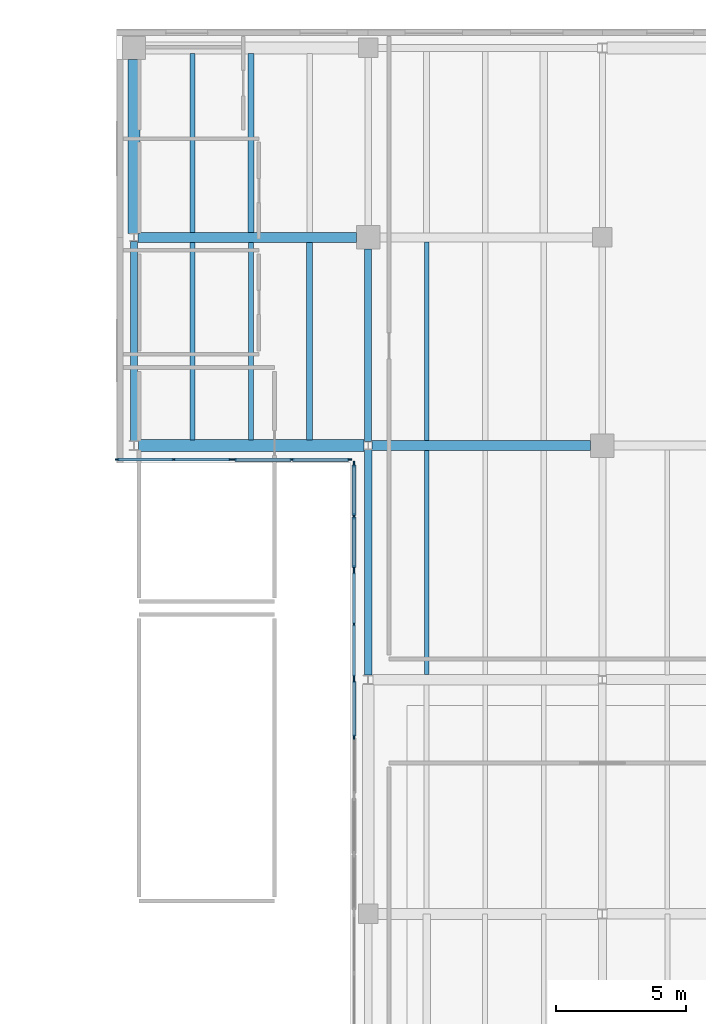
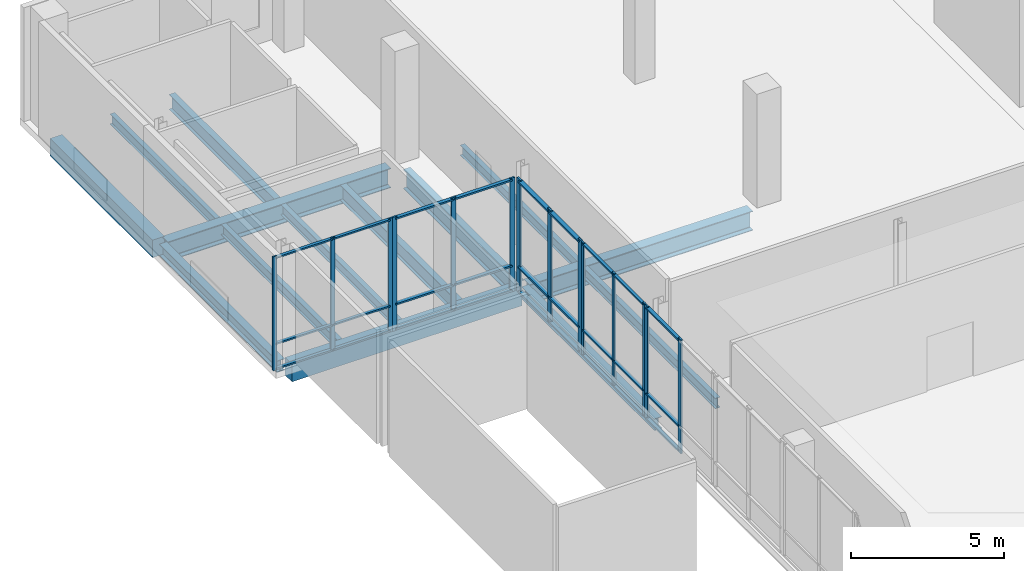
# One storey, part 14 of 30: 41 members, 14 beams, 5 elements without a shape of their own.
"""IFC4 building model written with IfcOpenShell, lengths in metres."""

from ifc_helpers import new_model, si_unit, direction, frame, origin, origin_2d, place, context, subcontext, project, spatial, rectangle, i_section, extrude, material, material_profile, profile_set, type_object, element, aggregate, save


model = new_model("IFC4")

# Units and contexts
model_context = context("Model", 3, precision=1e-05, world=origin(), true_north=direction((0.0, 1.0)))
body_context = subcontext(model_context, "Body", "Model", "MODEL_VIEW")
ifc_project = project(units=[si_unit("LENGTHUNIT", "METRE"), si_unit("AREAUNIT", "SQUARE_METRE"), si_unit("VOLUMEUNIT", "CUBIC_METRE"), si_unit("PLANEANGLEUNIT", "RADIAN"), si_unit("MASSUNIT", "GRAM", prefix="KILO")], contexts=[model_context])

# Site, building, storey
site_placement = place(None, origin())
site = spatial("IfcSite", under=ifc_project, at=site_placement, CompositionType="ELEMENT")
building_placement = place(site_placement, origin())
building = spatial("IfcBuilding", under=site, at=building_placement, Name="Trimount Lyric Opera House", CompositionType="ELEMENT")
storey_placement = place(building_placement, frame((0.0, 0.0, 24.800048828125)))
storey = spatial("IfcBuildingStorey", under=building, at=storey_placement, Name="L05", CompositionType="ELEMENT", Elevation=24.800048828125)

# Beams
ifc_material_1 = material(Name="Steel ASTM A992 Grade 50", Category="steel")
ifc_material_profile_1 = material_profile(ifc_material_1, i_section(OverallWidth=0.382080078125, OverallDepth=0.779052734375, WebThickness=0.01806640625, FlangeThickness=0.0302734375, FilletRadius=0.01904296875, at=origin_2d()), Name="W30X191")
ifc_profile_set_1 = profile_set([ifc_material_profile_1], Name="Steel ASTM A992 Grade 50")
beam_type_1 = type_object("IfcBeamType", Name="B-06", PredefinedType="BEAM", material=ifc_profile_set_1)
for number, where, z_axis, x_axis, name in (
    (1, (45.152587890625, 102.0, -0.649658203125), (1.0, 0.0, 0.0), (0.0, 1.0, 0.0), "L05 girder X-1281"),
    (2, (36.152587890625, 110.0, -0.649658203125), (1.0, 0.0, 0.0), (0.0, 1.0, 0.0), "L05 girder X-1283"),
):
    element("IfcBeam", number, at=place(storey_placement, frame(where, z_axis=z_axis, x_axis=x_axis)), inside=storey, type_object=beam_type_1, Name=name, PredefinedType="BEAM", context=body_context, shape_type="SweptSolid", body=[
        extrude(i_section(OverallWidth=0.382080078125, OverallDepth=0.779052734375, WebThickness=0.01806640625, FlangeThickness=0.0302734375, FilletRadius=0.01904296875, at=origin_2d()), origin(), (0.0, 0.0, 1.0), 8.3974609375),
    ])
ifc_material_2 = material(Name="Steel ASTM A992 Grade 50", Category="steel")
ifc_material_profile_2 = material_profile(ifc_material_2, i_section(OverallWidth=0.26708984375, OverallDepth=0.761962890625, WebThickness=0.014404296875, FlangeThickness=0.021484375, FilletRadius=0.01708984375, at=origin_2d()), Name="W30X116")
ifc_profile_set_2 = profile_set([ifc_material_profile_2], Name="Steel ASTM A992 Grade 50")
beam_type_2 = type_object("IfcBeamType", Name="B-07", PredefinedType="BEAM", material=ifc_profile_set_2)
beam_1_placement = place(storey_placement, frame((45.0, 102.153564453125, -0.64111328125), z_axis=(0.0, 1.0, 0.0), x_axis=(-1.0, 0.0, 0.0)))
element("IfcBeam", 3, at=beam_1_placement, inside=storey, type_object=beam_type_2, Name="L05 girder Y-1305", PredefinedType="BEAM", context=body_context, shape_type="SweptSolid", body=[
    extrude(i_section(OverallWidth=0.26708984375, OverallDepth=0.761962890625, WebThickness=0.014404296875, FlangeThickness=0.021484375, FilletRadius=0.01708984375, at=origin_2d()), origin(), (0.0, 0.0, 1.0), 7.396484375),
])
ifc_material_3 = material(Name="Steel ASTM A992 Grade 50", Category="steel")
ifc_material_profile_3 = material_profile(ifc_material_3, i_section(OverallWidth=0.22802734375, OverallDepth=0.60205078125, WebThickness=0.010498046875, FlangeThickness=0.014892578125, FilletRadius=0.012939453125, at=origin_2d()), Name="W24X68")
ifc_profile_set_3 = profile_set([ifc_material_profile_3], Name="Steel ASTM A992 Grade 50")
beam_type_3 = type_object("IfcBeamType", Name="J-01", PredefinedType="BEAM", material=ifc_profile_set_3)
beam_2_placement = place(storey_placement, frame((42.75, 102.220947265625, -0.56103515625), z_axis=(0.0, 1.0, 0.0), x_axis=(-1.0, 0.0, 0.0)))
element("IfcBeam", 4, at=beam_2_placement, inside=storey, type_object=beam_type_3, Name="L05 composite floor joist 1243", PredefinedType="BEAM", context=body_context, shape_type="SweptSolid", body=[
    extrude(i_section(OverallWidth=0.22802734375, OverallDepth=0.60205078125, WebThickness=0.010498046875, FlangeThickness=0.014892578125, FilletRadius=0.012939453125, at=origin_2d()), origin(), (0.0, 0.0, 1.0), 7.592041015625),
])
beam_3_placement = place(storey_placement, frame((40.5, 110.18701171875, -0.56103515625), z_axis=(0.0, 1.0, 0.0), x_axis=(-1.0, 0.0, 0.0)))
element("IfcBeam", 5, at=beam_3_placement, inside=storey, type_object=beam_type_3, Name="L05 composite floor joist 1245", PredefinedType="BEAM", context=body_context, shape_type="SweptSolid", body=[
    extrude(i_section(OverallWidth=0.22802734375, OverallDepth=0.60205078125, WebThickness=0.010498046875, FlangeThickness=0.014892578125, FilletRadius=0.012939453125, at=origin_2d()), origin(), (0.0, 0.0, 1.0), 6.8720703125),
])
ifc_material_4 = material(Name="Steel ASTM A992 Grade 50", Category="steel")
ifc_material_profile_4 = material_profile(ifc_material_4, i_section(OverallWidth=0.180908203125, OverallDepth=0.4169921875, WebThickness=0.010986328125, FlangeThickness=0.018310546875, FilletRadius=0.010986328125, at=origin_2d()), Name="W16X57")
ifc_profile_set_4 = profile_set([ifc_material_profile_4], Name="Steel ASTM A992 Grade 50")
beam_type_4 = type_object("IfcBeamType", Name="J-05", PredefinedType="BEAM", material=ifc_profile_set_4)
beam_4_placement = place(storey_placement, frame((38.25, 102.220947265625, -0.468505859375), z_axis=(0.0, 1.0, 0.0), x_axis=(-1.0, 0.0, 0.0)))
element("IfcBeam", 6, at=beam_4_placement, inside=storey, type_object=beam_type_4, Name="L05 composite floor joist 1241", PredefinedType="BEAM", context=body_context, shape_type="SweptSolid", body=[
    extrude(i_section(OverallWidth=0.180908203125, OverallDepth=0.4169921875, WebThickness=0.010986328125, FlangeThickness=0.018310546875, FilletRadius=0.010986328125, at=origin_2d()), origin(), (0.0, 0.0, 1.0), 7.592041015625),
])
beam_5_placement = place(storey_placement, frame((47.25, 93.196533203125, -0.468505859375), z_axis=(0.0, 1.0, 0.0), x_axis=(-1.0, 0.0, 0.0)))
element("IfcBeam", 7, at=beam_5_placement, inside=storey, type_object=beam_type_4, Name="L05 composite floor joist 1259", PredefinedType="BEAM", context=body_context, shape_type="SweptSolid", body=[
    extrude(i_section(OverallWidth=0.180908203125, OverallDepth=0.4169921875, WebThickness=0.010986328125, FlangeThickness=0.018310546875, FilletRadius=0.010986328125, at=origin_2d()), origin(), (0.0, 0.0, 1.0), 8.616455078125),
])
ifc_material_5 = material(Name="Steel ASTM A992 Grade 50", Category="steel")
ifc_material_profile_5 = material_profile(ifc_material_5, i_section(OverallWidth=0.177978515625, OverallDepth=0.404052734375, WebThickness=0.007568359375, FlangeThickness=0.010986328125, FilletRadius=0.010009765625, at=origin_2d()), Name="W16X36")
ifc_profile_set_5 = profile_set([ifc_material_profile_5], Name="Steel ASTM A992 Grade 50")
beam_type_5 = type_object("IfcBeamType", Name="J-06", PredefinedType="BEAM", material=ifc_profile_set_5)
beam_6_placement = place(storey_placement, frame((40.5, 102.220947265625, -0.462158203125), z_axis=(0.0, 1.0, 0.0), x_axis=(-1.0, 0.0, 0.0)))
element("IfcBeam", 8, at=beam_6_placement, inside=storey, type_object=beam_type_5, Name="L05 composite floor joist 1242", PredefinedType="BEAM", context=body_context, shape_type="SweptSolid", body=[
    extrude(i_section(OverallWidth=0.177978515625, OverallDepth=0.404052734375, WebThickness=0.007568359375, FlangeThickness=0.010986328125, FilletRadius=0.010009765625, at=origin_2d()), origin(), (0.0, 0.0, 1.0), 7.592041015625),
])
beam_7_placement = place(storey_placement, frame((38.25, 110.18701171875, -0.462158203125), z_axis=(0.0, 1.0, 0.0), x_axis=(-1.0, 0.0, 0.0)))
element("IfcBeam", 9, at=beam_7_placement, inside=storey, type_object=beam_type_5, Name="L05 composite floor joist 1244", PredefinedType="BEAM", context=body_context, shape_type="SweptSolid", body=[
    extrude(i_section(OverallWidth=0.177978515625, OverallDepth=0.404052734375, WebThickness=0.007568359375, FlangeThickness=0.010986328125, FilletRadius=0.010009765625, at=origin_2d()), origin(), (0.0, 0.0, 1.0), 6.8720703125),
])
beam_8_placement = place(storey_placement, frame((47.25, 102.18701171875, -0.462158203125), z_axis=(0.0, 1.0, 0.0), x_axis=(-1.0, 0.0, 0.0)))
element("IfcBeam", 10, at=beam_8_placement, inside=storey, type_object=beam_type_5, Name="L05 composite floor joist 1262", PredefinedType="BEAM", context=body_context, shape_type="SweptSolid", body=[
    extrude(i_section(OverallWidth=0.177978515625, OverallDepth=0.404052734375, WebThickness=0.007568359375, FlangeThickness=0.010986328125, FilletRadius=0.010009765625, at=origin_2d()), origin(), (0.0, 0.0, 1.0), 7.638916015625),
])

# Curtain wall, members
ifc_material_6 = material(Name="Thermally Broken Aluminium and Low-E Glass", Category="aluminium")
curtain_wall_type = type_object("IfcCurtainWallType", Name="CW-03", PredefinedType="NOTDEFINED", material=ifc_material_6)
curtain_wall_1_placement = place(storey_placement, origin())
curtain_wall_1 = element("IfcCurtainWall", 11, at=curtain_wall_1_placement, inside=storey, type_object=curtain_wall_type, Name="L05 curtain wall 348", PredefinedType="NOTDEFINED")
ifc_material_7 = material(Name="Anodised Aluminium 6063-T6", Category="aluminium")
ifc_material_profile_6 = material_profile(ifc_material_7, rectangle(XDim=0.070068359375, YDim=0.219970703125, at=origin_2d()), Name="ALU-MULL-70X220")
ifc_profile_set_6 = profile_set([ifc_material_profile_6], Name="Anodised Aluminium 6063-T6")
member_type_1 = type_object("IfcMemberType", Name="ML-01", PredefinedType="MULLION", material=ifc_profile_set_6)
member_1_placement = place(storey_placement, frame((44.4599609375, 97.284912109375, 0.0), z_axis=(0.0, 0.0, 1.0), x_axis=(-1.0, 0.0, 0.0)))
member_1 = element("IfcMember", 12, at=member_1_placement, type_object=member_type_1, Name="CW-03 mullion 1", PredefinedType="MULLION", context=body_context, shape_type="SweptSolid", body=[
    extrude(rectangle(XDim=0.070068359375, YDim=0.219970703125, at=origin_2d()), origin(), (0.0, 0.0, 1.0), 4.530029296875),
])
member_2_placement = place(storey_placement, frame((44.4599609375, 99.284912109375, 0.0), z_axis=(0.0, 0.0, 1.0), x_axis=(-1.0, 0.0, 0.0)))
member_2 = element("IfcMember", 13, at=member_2_placement, type_object=member_type_1, Name="CW-03 mullion 2", PredefinedType="MULLION", context=body_context, shape_type="SweptSolid", body=[
    extrude(rectangle(XDim=0.070068359375, YDim=0.219970703125, at=origin_2d()), origin(), (0.0, 0.0, 1.0), 4.530029296875),
])
member_3_placement = place(storey_placement, frame((44.4599609375, 101.284912109375, 0.0), z_axis=(0.0, 0.0, 1.0), x_axis=(-1.0, 0.0, 0.0)))
member_3 = element("IfcMember", 14, at=member_3_placement, type_object=member_type_1, Name="CW-03 mullion 3", PredefinedType="MULLION", context=body_context, shape_type="SweptSolid", body=[
    extrude(rectangle(XDim=0.070068359375, YDim=0.219970703125, at=origin_2d()), origin(), (0.0, 0.0, 1.0), 4.530029296875),
])

curtain_wall_2_placement = place(storey_placement, origin())
curtain_wall_2 = element("IfcCurtainWall", 15, at=curtain_wall_2_placement, inside=storey, type_object=curtain_wall_type, Name="L05 curtain wall 346", PredefinedType="NOTDEFINED")
ifc_material_8 = material(Name="Anodised Aluminium 6063-T6", Category="aluminium")
ifc_material_profile_7 = material_profile(ifc_material_8, rectangle(XDim=0.06494140625, YDim=0.179931640625, at=origin_2d()), Name="ALU-MULL-65X180")
ifc_profile_set_7 = profile_set([ifc_material_profile_7], Name="Anodised Aluminium 6063-T6")
member_type_2 = type_object("IfcMemberType", Name="ML-02", PredefinedType="MULLION", material=ifc_profile_set_7)
member_4_placement = place(storey_placement, frame((44.4599609375, 90.794921875, 0.0), z_axis=(0.0, 0.0, 1.0), x_axis=(-1.0, 0.0, 0.0)))
member_4 = element("IfcMember", 16, at=member_4_placement, type_object=member_type_2, Name="CW-03 mullion 2", PredefinedType="MULLION", context=body_context, shape_type="SweptSolid", body=[
    extrude(rectangle(XDim=0.06494140625, YDim=0.179931640625, at=origin_2d()), origin(), (0.0, 0.0, 1.0), 4.530029296875),
])
member_5_placement = place(storey_placement, frame((44.4599609375, 92.967529296875, 0.0), z_axis=(0.0, 0.0, 1.0), x_axis=(-1.0, 0.0, 0.0)))
member_5 = element("IfcMember", 17, at=member_5_placement, type_object=member_type_2, Name="CW-03 mullion 3", PredefinedType="MULLION", context=body_context, shape_type="SweptSolid", body=[
    extrude(rectangle(XDim=0.06494140625, YDim=0.179931640625, at=origin_2d()), origin(), (0.0, 0.0, 1.0), 4.530029296875),
])

curtain_wall_3_placement = place(storey_placement, origin())
curtain_wall_3 = element("IfcCurtainWall", 18, at=curtain_wall_3_placement, inside=storey, type_object=curtain_wall_type, Name="L05 curtain wall 349", PredefinedType="NOTDEFINED")
member_6_placement = place(storey_placement, frame((44.28759765625, 101.4599609375, 0.0), z_axis=(0.0, 0.0, 1.0), x_axis=(0.0, -1.0, 0.0)))
member_6 = element("IfcMember", 19, at=member_6_placement, type_object=member_type_2, Name="CW-03 mullion 1", PredefinedType="MULLION", context=body_context, shape_type="SweptSolid", body=[
    extrude(rectangle(XDim=0.06494140625, YDim=0.179931640625, at=origin_2d()), origin(), (0.0, 0.0, 1.0), 4.530029296875),
])
member_7_placement = place(storey_placement, frame((42.070068359375, 101.4599609375, 0.0), z_axis=(0.0, 0.0, 1.0), x_axis=(0.0, -1.0, 0.0)))
member_7 = element("IfcMember", 20, at=member_7_placement, type_object=member_type_2, Name="CW-03 mullion 2", PredefinedType="MULLION", context=body_context, shape_type="SweptSolid", body=[
    extrude(rectangle(XDim=0.06494140625, YDim=0.179931640625, at=origin_2d()), origin(), (0.0, 0.0, 1.0), 4.530029296875),
])
member_8_placement = place(storey_placement, frame((39.8525390625, 101.4599609375, 0.0), z_axis=(0.0, 0.0, 1.0), x_axis=(0.0, -1.0, 0.0)))
member_8 = element("IfcMember", 21, at=member_8_placement, type_object=member_type_2, Name="CW-03 mullion 3", PredefinedType="MULLION", context=body_context, shape_type="SweptSolid", body=[
    extrude(rectangle(XDim=0.06494140625, YDim=0.179931640625, at=origin_2d()), origin(), (0.0, 0.0, 1.0), 4.530029296875),
])

curtain_wall_4_placement = place(storey_placement, origin())
curtain_wall_4 = element("IfcCurtainWall", 22, at=curtain_wall_4_placement, inside=storey, type_object=curtain_wall_type, Name="L05 curtain wall 347", PredefinedType="NOTDEFINED")
ifc_material_9 = material(Name="Anodised Aluminium 6063-T6", Category="aluminium")
ifc_material_profile_8 = material_profile(ifc_material_9, rectangle(XDim=0.06005859375, YDim=0.14990234375, at=origin_2d()), Name="ALU-MULL-60X150")
ifc_profile_set_8 = profile_set([ifc_material_profile_8], Name="Anodised Aluminium 6063-T6")
member_type_3 = type_object("IfcMemberType", Name="ML-03", PredefinedType="MULLION", material=ifc_profile_set_8)
member_9_placement = place(storey_placement, frame((44.4599609375, 93.1201171875, 0.0), z_axis=(0.0, 0.0, 1.0), x_axis=(-1.0, 0.0, 0.0)))
member_9 = element("IfcMember", 23, at=member_9_placement, type_object=member_type_3, Name="CW-03 mullion 1", PredefinedType="MULLION", context=body_context, shape_type="SweptSolid", body=[
    extrude(rectangle(XDim=0.06005859375, YDim=0.14990234375, at=origin_2d()), origin(), (0.0, 0.0, 1.0), 4.530029296875),
])
member_10_placement = place(storey_placement, frame((44.4599609375, 95.125, 0.0), z_axis=(0.0, 0.0, 1.0), x_axis=(-1.0, 0.0, 0.0)))
member_10 = element("IfcMember", 24, at=member_10_placement, type_object=member_type_3, Name="CW-03 mullion 2", PredefinedType="MULLION", context=body_context, shape_type="SweptSolid", body=[
    extrude(rectangle(XDim=0.06005859375, YDim=0.14990234375, at=origin_2d()), origin(), (0.0, 0.0, 1.0), 4.530029296875),
])
member_11_placement = place(storey_placement, frame((44.4599609375, 97.1298828125, 0.0), z_axis=(0.0, 0.0, 1.0), x_axis=(-1.0, 0.0, 0.0)))
member_11 = element("IfcMember", 25, at=member_11_placement, type_object=member_type_3, Name="CW-03 mullion 3", PredefinedType="MULLION", context=body_context, shape_type="SweptSolid", body=[
    extrude(rectangle(XDim=0.06005859375, YDim=0.14990234375, at=origin_2d()), origin(), (0.0, 0.0, 1.0), 4.530029296875),
])

curtain_wall_5_placement = place(storey_placement, origin())
curtain_wall_5 = element("IfcCurtainWall", 26, at=curtain_wall_5_placement, inside=storey, type_object=curtain_wall_type, Name="L05 curtain wall 350", PredefinedType="NOTDEFINED")
member_12_placement = place(storey_placement, frame((39.699951171875, 101.4599609375, 0.0), z_axis=(0.0, 0.0, 1.0), x_axis=(0.0, -1.0, 0.0)))
member_12 = element("IfcMember", 27, at=member_12_placement, type_object=member_type_3, Name="CW-03 mullion 1", PredefinedType="MULLION", context=body_context, shape_type="SweptSolid", body=[
    extrude(rectangle(XDim=0.06005859375, YDim=0.14990234375, at=origin_2d()), origin(), (0.0, 0.0, 1.0), 4.530029296875),
])
member_13_placement = place(storey_placement, frame((37.52490234375, 101.4599609375, 0.0), z_axis=(0.0, 0.0, 1.0), x_axis=(0.0, -1.0, 0.0)))
member_13 = element("IfcMember", 28, at=member_13_placement, type_object=member_type_3, Name="CW-03 mullion 2", PredefinedType="MULLION", context=body_context, shape_type="SweptSolid", body=[
    extrude(rectangle(XDim=0.06005859375, YDim=0.14990234375, at=origin_2d()), origin(), (0.0, 0.0, 1.0), 4.530029296875),
])
member_14_placement = place(storey_placement, frame((35.35009765625, 101.4599609375, 0.0), z_axis=(0.0, 0.0, 1.0), x_axis=(0.0, -1.0, 0.0)))
member_14 = element("IfcMember", 29, at=member_14_placement, type_object=member_type_3, Name="CW-03 mullion 3", PredefinedType="MULLION", context=body_context, shape_type="SweptSolid", body=[
    extrude(rectangle(XDim=0.06005859375, YDim=0.14990234375, at=origin_2d()), origin(), (0.0, 0.0, 1.0), 4.530029296875),
])

# Beams
ifc_material_10 = material(Name="Steel ASTM A992 Grade 50", Category="steel")
ifc_material_profile_9 = material_profile(ifc_material_10, i_section(OverallWidth=0.281982421875, OverallDepth=0.467041015625, WebThickness=0.01220703125, FlangeThickness=0.01953125, FilletRadius=0.012939453125, at=origin_2d()), Name="W18X86")
ifc_profile_set_9 = profile_set([ifc_material_profile_9], Name="Steel ASTM A992 Grade 50")
beam_type_6 = type_object("IfcBeamType", Name="SP-01", PredefinedType="SPANDREL", material=ifc_profile_set_9)
beam_9_placement = place(storey_placement, frame((36.0, 102.177978515625, -0.49365234375), z_axis=(0.0, 1.0, 0.0), x_axis=(-1.0, 0.0, 0.0)))
element("IfcBeam", 30, at=beam_9_placement, inside=storey, type_object=beam_type_6, Name="L05 girder Y-1298", PredefinedType="SPANDREL", context=body_context, shape_type="SweptSolid", body=[
    extrude(i_section(OverallWidth=0.281982421875, OverallDepth=0.467041015625, WebThickness=0.01220703125, FlangeThickness=0.01953125, FilletRadius=0.012939453125, at=origin_2d()), origin(), (0.0, 0.0, 1.0), 7.66845703125),
])
beam_10_placement = place(storey_placement, frame((45.0, 93.177978515625, -0.49365234375), z_axis=(0.0, 1.0, 0.0), x_axis=(-1.0, 0.0, 0.0)))
element("IfcBeam", 31, at=beam_10_placement, inside=storey, type_object=beam_type_6, Name="L05 girder Y-1304", PredefinedType="SPANDREL", context=body_context, shape_type="SweptSolid", body=[
    extrude(i_section(OverallWidth=0.281982421875, OverallDepth=0.467041015625, WebThickness=0.01220703125, FlangeThickness=0.01953125, FilletRadius=0.012939453125, at=origin_2d()), origin(), (0.0, 0.0, 1.0), 8.66845703125),
])
ifc_material_11 = material(Name="Concrete C40/50", Category="concrete")
ifc_material_profile_10 = material_profile(ifc_material_11, rectangle(XDim=0.449951171875, YDim=0.699951171875, at=origin_2d()), Name="RC450X700")
ifc_profile_set_10 = profile_set([ifc_material_profile_10], Name="Concrete C40/50")
beam_type_7 = type_object("IfcBeamType", Name="SP-02", PredefinedType="SPANDREL", material=ifc_profile_set_10)
beam_11_placement = place(storey_placement, frame((36.18408203125, 102.0, -0.610107421875), z_axis=(1.0, 0.0, 0.0), x_axis=(0.0, 1.0, 0.0)))
element("IfcBeam", 32, at=beam_11_placement, inside=storey, type_object=beam_type_7, Name="L05 girder X-1280", PredefinedType="SPANDREL", context=body_context, shape_type="SweptSolid", body=[
    extrude(rectangle(XDim=0.449951171875, YDim=0.699951171875, at=origin_2d()), origin(), (0.0, 0.0, 1.0), 8.663330078125),
])
beam_12_placement = place(storey_placement, frame((36.0, 110.153564453125, -0.610107421875), z_axis=(0.0, 1.0, 0.0), x_axis=(-1.0, 0.0, 0.0)))
element("IfcBeam", 33, at=beam_12_placement, inside=storey, type_object=beam_type_7, Name="L05 girder Y-1299", PredefinedType="SPANDREL", context=body_context, shape_type="SweptSolid", body=[
    extrude(rectangle(XDim=0.449951171875, YDim=0.699951171875, at=origin_2d()), origin(), (0.0, 0.0, 1.0), 6.676513671875),
])

# Member
ifc_material_12 = material(Name="Anodised Aluminium 6063-T6", Category="aluminium")
ifc_material_profile_11 = material_profile(ifc_material_12, rectangle(XDim=0.159912109375, YDim=0.070068359375, at=origin_2d()), Name="ALU-TRAN-70X160")
ifc_profile_set_11 = profile_set([ifc_material_profile_11], Name="Anodised Aluminium 6063-T6")
member_type_4 = type_object("IfcMemberType", Name="TR-01", PredefinedType="USERDEFINED", material=ifc_profile_set_11)
member_15_placement = place(storey_placement, frame((44.4599609375, 97.320068359375, 0.079833984375), z_axis=(0.0, 1.0, 0.0), x_axis=(-1.0, 0.0, 0.0)))
member_15 = element("IfcMember", 34, at=member_15_placement, type_object=member_type_4, Name="CW-03 transom 1.1", ObjectType="TRANSOM", PredefinedType="USERDEFINED", context=body_context, shape_type="SweptSolid", body=[
    extrude(rectangle(XDim=0.159912109375, YDim=0.070068359375, at=origin_2d()), origin(), (0.0, 0.0, 1.0), 1.929931640625),
])

member_16_placement = place(storey_placement, frame((44.4599609375, 97.320068359375, 1.050048828125), z_axis=(0.0, 1.0, 0.0), x_axis=(-1.0, 0.0, 0.0)))
member_16 = element("IfcMember", 35, at=member_16_placement, type_object=member_type_4, Name="CW-03 transom 1.2", ObjectType="TRANSOM", PredefinedType="USERDEFINED", context=body_context, shape_type="SweptSolid", body=[
    extrude(rectangle(XDim=0.159912109375, YDim=0.070068359375, at=origin_2d()), origin(), (0.0, 0.0, 1.0), 1.929931640625),
])

member_17_placement = place(storey_placement, frame((44.4599609375, 97.320068359375, 4.449951171875), z_axis=(0.0, 1.0, 0.0), x_axis=(-1.0, 0.0, 0.0)))
member_17 = element("IfcMember", 36, at=member_17_placement, type_object=member_type_4, Name="CW-03 transom 1.3", ObjectType="TRANSOM", PredefinedType="USERDEFINED", context=body_context, shape_type="SweptSolid", body=[
    extrude(rectangle(XDim=0.159912109375, YDim=0.070068359375, at=origin_2d()), origin(), (0.0, 0.0, 1.0), 1.929931640625),
])

member_18_placement = place(storey_placement, frame((44.4599609375, 99.320068359375, 0.079833984375), z_axis=(0.0, 1.0, 0.0), x_axis=(-1.0, 0.0, 0.0)))
member_18 = element("IfcMember", 37, at=member_18_placement, type_object=member_type_4, Name="CW-03 transom 2.1", ObjectType="TRANSOM", PredefinedType="USERDEFINED", context=body_context, shape_type="SweptSolid", body=[
    extrude(rectangle(XDim=0.159912109375, YDim=0.070068359375, at=origin_2d()), origin(), (0.0, 0.0, 1.0), 1.929931640625),
])

member_19_placement = place(storey_placement, frame((44.4599609375, 99.320068359375, 1.050048828125), z_axis=(0.0, 1.0, 0.0), x_axis=(-1.0, 0.0, 0.0)))
member_19 = element("IfcMember", 38, at=member_19_placement, type_object=member_type_4, Name="CW-03 transom 2.2", ObjectType="TRANSOM", PredefinedType="USERDEFINED", context=body_context, shape_type="SweptSolid", body=[
    extrude(rectangle(XDim=0.159912109375, YDim=0.070068359375, at=origin_2d()), origin(), (0.0, 0.0, 1.0), 1.929931640625),
])

member_20_placement = place(storey_placement, frame((44.4599609375, 99.320068359375, 4.449951171875), z_axis=(0.0, 1.0, 0.0), x_axis=(-1.0, 0.0, 0.0)))
member_20 = element("IfcMember", 39, at=member_20_placement, type_object=member_type_4, Name="CW-03 transom 2.3", ObjectType="TRANSOM", PredefinedType="USERDEFINED", context=body_context, shape_type="SweptSolid", body=[
    extrude(rectangle(XDim=0.159912109375, YDim=0.070068359375, at=origin_2d()), origin(), (0.0, 0.0, 1.0), 1.929931640625),
])

aggregate(curtain_wall_1, [member_1, member_2, member_3, member_15, member_16, member_17, member_18, member_19, member_20])

ifc_material_13 = material(Name="Anodised Aluminium 6063-T6", Category="aluminium")
ifc_material_profile_12 = material_profile(ifc_material_13, rectangle(XDim=0.135009765625, YDim=0.06494140625, at=origin_2d()), Name="ALU-TRAN-65X135")
ifc_profile_set_12 = profile_set([ifc_material_profile_12], Name="Anodised Aluminium 6063-T6")
member_type_5 = type_object("IfcMemberType", Name="TR-02", PredefinedType="USERDEFINED", material=ifc_profile_set_12)
member_21_placement = place(storey_placement, frame((44.4599609375, 90.827392578125, 0.0673828125), z_axis=(0.0, 1.0, 0.0), x_axis=(-1.0, 0.0, 0.0)))
member_21 = element("IfcMember", 40, at=member_21_placement, type_object=member_type_5, Name="CW-03 transom 2.1", ObjectType="TRANSOM", PredefinedType="USERDEFINED", context=body_context, shape_type="SweptSolid", body=[
    extrude(rectangle(XDim=0.135009765625, YDim=0.06494140625, at=origin_2d()), origin(), (0.0, 0.0, 1.0), 2.107666015625),
])

member_22_placement = place(storey_placement, frame((44.4599609375, 90.827392578125, 1.050048828125), z_axis=(0.0, 1.0, 0.0), x_axis=(-1.0, 0.0, 0.0)))
member_22 = element("IfcMember", 41, at=member_22_placement, type_object=member_type_5, Name="CW-03 transom 2.2", ObjectType="TRANSOM", PredefinedType="USERDEFINED", context=body_context, shape_type="SweptSolid", body=[
    extrude(rectangle(XDim=0.135009765625, YDim=0.06494140625, at=origin_2d()), origin(), (0.0, 0.0, 1.0), 2.107666015625),
])

member_23_placement = place(storey_placement, frame((44.4599609375, 90.827392578125, 4.46240234375), z_axis=(0.0, 1.0, 0.0), x_axis=(-1.0, 0.0, 0.0)))
member_23 = element("IfcMember", 42, at=member_23_placement, type_object=member_type_5, Name="CW-03 transom 2.3", ObjectType="TRANSOM", PredefinedType="USERDEFINED", context=body_context, shape_type="SweptSolid", body=[
    extrude(rectangle(XDim=0.135009765625, YDim=0.06494140625, at=origin_2d()), origin(), (0.0, 0.0, 1.0), 2.107666015625),
])

aggregate(curtain_wall_2, [member_4, member_5, member_21, member_22, member_23])

member_24_placement = place(storey_placement, frame((44.2548828125, 101.4599609375, 0.0673828125), z_axis=(-1.0, 0.0, 0.0), x_axis=(0.0, -1.0, 0.0)))
member_24 = element("IfcMember", 43, at=member_24_placement, type_object=member_type_5, Name="CW-03 transom 1.1", ObjectType="TRANSOM", PredefinedType="USERDEFINED", context=body_context, shape_type="SweptSolid", body=[
    extrude(rectangle(XDim=0.135009765625, YDim=0.06494140625, at=origin_2d()), origin(), (0.0, 0.0, 1.0), 2.15234375),
])

member_25_placement = place(storey_placement, frame((44.2548828125, 101.4599609375, 1.050048828125), z_axis=(-1.0, 0.0, 0.0), x_axis=(0.0, -1.0, 0.0)))
member_25 = element("IfcMember", 44, at=member_25_placement, type_object=member_type_5, Name="CW-03 transom 1.2", ObjectType="TRANSOM", PredefinedType="USERDEFINED", context=body_context, shape_type="SweptSolid", body=[
    extrude(rectangle(XDim=0.135009765625, YDim=0.06494140625, at=origin_2d()), origin(), (0.0, 0.0, 1.0), 2.15234375),
])

member_26_placement = place(storey_placement, frame((44.2548828125, 101.4599609375, 4.46240234375), z_axis=(-1.0, 0.0, 0.0), x_axis=(0.0, -1.0, 0.0)))
member_26 = element("IfcMember", 45, at=member_26_placement, type_object=member_type_5, Name="CW-03 transom 1.3", ObjectType="TRANSOM", PredefinedType="USERDEFINED", context=body_context, shape_type="SweptSolid", body=[
    extrude(rectangle(XDim=0.135009765625, YDim=0.06494140625, at=origin_2d()), origin(), (0.0, 0.0, 1.0), 2.15234375),
])

member_27_placement = place(storey_placement, frame((42.03759765625, 101.4599609375, 0.0673828125), z_axis=(-1.0, 0.0, 0.0), x_axis=(0.0, -1.0, 0.0)))
member_27 = element("IfcMember", 46, at=member_27_placement, type_object=member_type_5, Name="CW-03 transom 2.1", ObjectType="TRANSOM", PredefinedType="USERDEFINED", context=body_context, shape_type="SweptSolid", body=[
    extrude(rectangle(XDim=0.135009765625, YDim=0.06494140625, at=origin_2d()), origin(), (0.0, 0.0, 1.0), 2.152587890625),
])

member_28_placement = place(storey_placement, frame((42.03759765625, 101.4599609375, 1.050048828125), z_axis=(-1.0, 0.0, 0.0), x_axis=(0.0, -1.0, 0.0)))
member_28 = element("IfcMember", 47, at=member_28_placement, type_object=member_type_5, Name="CW-03 transom 2.2", ObjectType="TRANSOM", PredefinedType="USERDEFINED", context=body_context, shape_type="SweptSolid", body=[
    extrude(rectangle(XDim=0.135009765625, YDim=0.06494140625, at=origin_2d()), origin(), (0.0, 0.0, 1.0), 2.152587890625),
])

member_29_placement = place(storey_placement, frame((42.03759765625, 101.4599609375, 4.46240234375), z_axis=(-1.0, 0.0, 0.0), x_axis=(0.0, -1.0, 0.0)))
member_29 = element("IfcMember", 48, at=member_29_placement, type_object=member_type_5, Name="CW-03 transom 2.3", ObjectType="TRANSOM", PredefinedType="USERDEFINED", context=body_context, shape_type="SweptSolid", body=[
    extrude(rectangle(XDim=0.135009765625, YDim=0.06494140625, at=origin_2d()), origin(), (0.0, 0.0, 1.0), 2.152587890625),
])

aggregate(curtain_wall_3, [member_6, member_7, member_8, member_24, member_25, member_26, member_27, member_28, member_29])

ifc_material_14 = material(Name="Anodised Aluminium 6063-T6", Category="aluminium")
ifc_material_profile_13 = material_profile(ifc_material_14, rectangle(XDim=0.114990234375, YDim=0.06005859375, at=origin_2d()), Name="ALU-TRAN-60X115")
ifc_profile_set_13 = profile_set([ifc_material_profile_13], Name="Anodised Aluminium 6063-T6")
member_type_6 = type_object("IfcMemberType", Name="TR-03", PredefinedType="USERDEFINED", material=ifc_profile_set_13)
member_30_placement = place(storey_placement, frame((44.4599609375, 93.14990234375, 0.057373046875), z_axis=(0.0, 1.0, 0.0), x_axis=(-1.0, 0.0, 0.0)))
member_30 = element("IfcMember", 49, at=member_30_placement, type_object=member_type_6, Name="CW-03 transom 1.1", ObjectType="TRANSOM", PredefinedType="USERDEFINED", context=body_context, shape_type="SweptSolid", body=[
    extrude(rectangle(XDim=0.114990234375, YDim=0.06005859375, at=origin_2d()), origin(), (0.0, 0.0, 1.0), 1.945068359375),
])

member_31_placement = place(storey_placement, frame((44.4599609375, 93.14990234375, 1.050048828125), z_axis=(0.0, 1.0, 0.0), x_axis=(-1.0, 0.0, 0.0)))
member_31 = element("IfcMember", 50, at=member_31_placement, type_object=member_type_6, Name="CW-03 transom 1.2", ObjectType="TRANSOM", PredefinedType="USERDEFINED", context=body_context, shape_type="SweptSolid", body=[
    extrude(rectangle(XDim=0.114990234375, YDim=0.06005859375, at=origin_2d()), origin(), (0.0, 0.0, 1.0), 1.945068359375),
])

member_32_placement = place(storey_placement, frame((44.4599609375, 93.14990234375, 4.472412109375), z_axis=(0.0, 1.0, 0.0), x_axis=(-1.0, 0.0, 0.0)))
member_32 = element("IfcMember", 51, at=member_32_placement, type_object=member_type_6, Name="CW-03 transom 1.3", ObjectType="TRANSOM", PredefinedType="USERDEFINED", context=body_context, shape_type="SweptSolid", body=[
    extrude(rectangle(XDim=0.114990234375, YDim=0.06005859375, at=origin_2d()), origin(), (0.0, 0.0, 1.0), 1.945068359375),
])

member_33_placement = place(storey_placement, frame((44.4599609375, 95.155029296875, 0.057373046875), z_axis=(0.0, 1.0, 0.0), x_axis=(-1.0, 0.0, 0.0)))
member_33 = element("IfcMember", 52, at=member_33_placement, type_object=member_type_6, Name="CW-03 transom 2.1", ObjectType="TRANSOM", PredefinedType="USERDEFINED", context=body_context, shape_type="SweptSolid", body=[
    extrude(rectangle(XDim=0.114990234375, YDim=0.06005859375, at=origin_2d()), origin(), (0.0, 0.0, 1.0), 1.945068359375),
])

member_34_placement = place(storey_placement, frame((44.4599609375, 95.155029296875, 1.050048828125), z_axis=(0.0, 1.0, 0.0), x_axis=(-1.0, 0.0, 0.0)))
member_34 = element("IfcMember", 53, at=member_34_placement, type_object=member_type_6, Name="CW-03 transom 2.2", ObjectType="TRANSOM", PredefinedType="USERDEFINED", context=body_context, shape_type="SweptSolid", body=[
    extrude(rectangle(XDim=0.114990234375, YDim=0.06005859375, at=origin_2d()), origin(), (0.0, 0.0, 1.0), 1.945068359375),
])

member_35_placement = place(storey_placement, frame((44.4599609375, 95.155029296875, 4.472412109375), z_axis=(0.0, 1.0, 0.0), x_axis=(-1.0, 0.0, 0.0)))
member_35 = element("IfcMember", 54, at=member_35_placement, type_object=member_type_6, Name="CW-03 transom 2.3", ObjectType="TRANSOM", PredefinedType="USERDEFINED", context=body_context, shape_type="SweptSolid", body=[
    extrude(rectangle(XDim=0.114990234375, YDim=0.06005859375, at=origin_2d()), origin(), (0.0, 0.0, 1.0), 1.945068359375),
])

aggregate(curtain_wall_4, [member_9, member_10, member_11, member_30, member_31, member_32, member_33, member_34, member_35])

member_36_placement = place(storey_placement, frame((39.669921875, 101.4599609375, 0.057373046875), z_axis=(-1.0, 0.0, 0.0), x_axis=(0.0, -1.0, 0.0)))
member_36 = element("IfcMember", 55, at=member_36_placement, type_object=member_type_6, Name="CW-03 transom 1.1", ObjectType="TRANSOM", PredefinedType="USERDEFINED", context=body_context, shape_type="SweptSolid", body=[
    extrude(rectangle(XDim=0.114990234375, YDim=0.06005859375, at=origin_2d()), origin(), (0.0, 0.0, 1.0), 2.114990234375),
])

member_37_placement = place(storey_placement, frame((39.669921875, 101.4599609375, 1.050048828125), z_axis=(-1.0, 0.0, 0.0), x_axis=(0.0, -1.0, 0.0)))
member_37 = element("IfcMember", 56, at=member_37_placement, type_object=member_type_6, Name="CW-03 transom 1.2", ObjectType="TRANSOM", PredefinedType="USERDEFINED", context=body_context, shape_type="SweptSolid", body=[
    extrude(rectangle(XDim=0.114990234375, YDim=0.06005859375, at=origin_2d()), origin(), (0.0, 0.0, 1.0), 2.114990234375),
])

member_38_placement = place(storey_placement, frame((39.669921875, 101.4599609375, 4.472412109375), z_axis=(-1.0, 0.0, 0.0), x_axis=(0.0, -1.0, 0.0)))
member_38 = element("IfcMember", 57, at=member_38_placement, type_object=member_type_6, Name="CW-03 transom 1.3", ObjectType="TRANSOM", PredefinedType="USERDEFINED", context=body_context, shape_type="SweptSolid", body=[
    extrude(rectangle(XDim=0.114990234375, YDim=0.06005859375, at=origin_2d()), origin(), (0.0, 0.0, 1.0), 2.114990234375),
])

member_39_placement = place(storey_placement, frame((37.4951171875, 101.4599609375, 0.057373046875), z_axis=(-1.0, 0.0, 0.0), x_axis=(0.0, -1.0, 0.0)))
member_39 = element("IfcMember", 58, at=member_39_placement, type_object=member_type_6, Name="CW-03 transom 2.1", ObjectType="TRANSOM", PredefinedType="USERDEFINED", context=body_context, shape_type="SweptSolid", body=[
    extrude(rectangle(XDim=0.114990234375, YDim=0.06005859375, at=origin_2d()), origin(), (0.0, 0.0, 1.0), 2.115234375),
])

member_40_placement = place(storey_placement, frame((37.4951171875, 101.4599609375, 1.050048828125), z_axis=(-1.0, 0.0, 0.0), x_axis=(0.0, -1.0, 0.0)))
member_40 = element("IfcMember", 59, at=member_40_placement, type_object=member_type_6, Name="CW-03 transom 2.2", ObjectType="TRANSOM", PredefinedType="USERDEFINED", context=body_context, shape_type="SweptSolid", body=[
    extrude(rectangle(XDim=0.114990234375, YDim=0.06005859375, at=origin_2d()), origin(), (0.0, 0.0, 1.0), 2.115234375),
])

member_41_placement = place(storey_placement, frame((37.4951171875, 101.4599609375, 4.472412109375), z_axis=(-1.0, 0.0, 0.0), x_axis=(0.0, -1.0, 0.0)))
member_41 = element("IfcMember", 60, at=member_41_placement, type_object=member_type_6, Name="CW-03 transom 2.3", ObjectType="TRANSOM", PredefinedType="USERDEFINED", context=body_context, shape_type="SweptSolid", body=[
    extrude(rectangle(XDim=0.114990234375, YDim=0.06005859375, at=origin_2d()), origin(), (0.0, 0.0, 1.0), 2.115234375),
])

aggregate(curtain_wall_5, [member_12, member_13, member_14, member_36, member_37, member_38, member_39, member_40, member_41])

save(model, "model.ifc")
